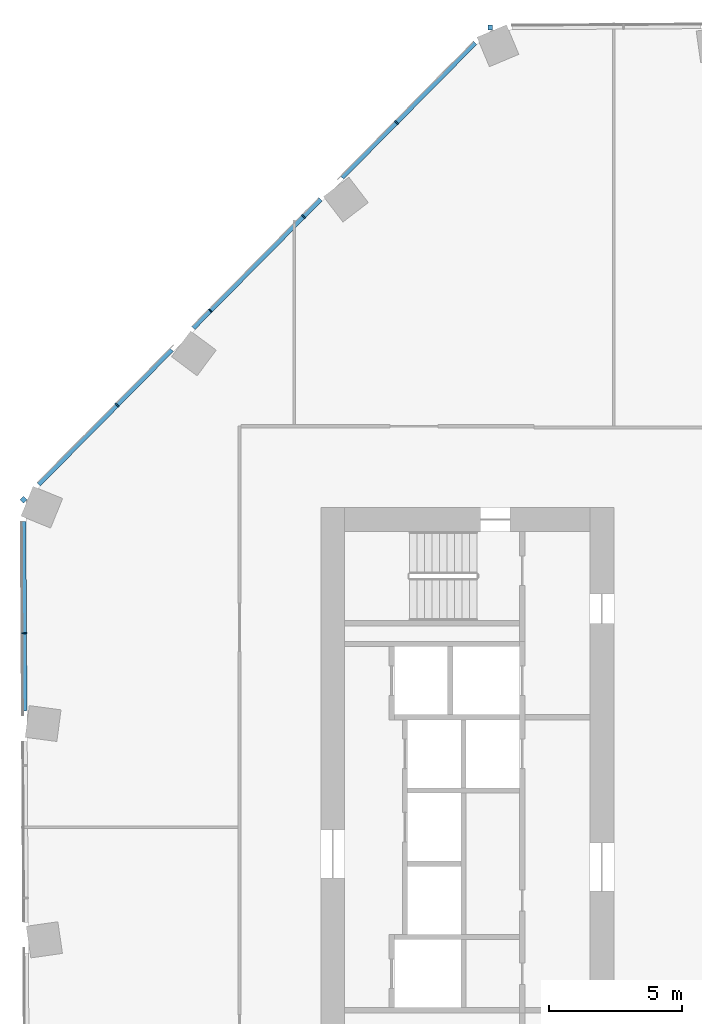
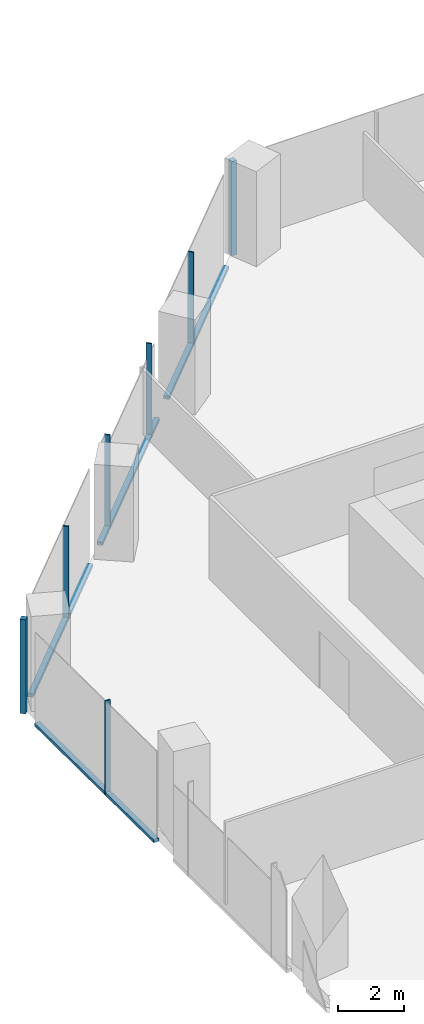
# One storey, part 9 of 27: 11 members, 3 elements without a shape of their own.
"""IFC4 building model written with IfcOpenShell, lengths in metres."""

from ifc_helpers import new_model, si_unit, direction, frame, origin, origin_2d, place, context, subcontext, project, spatial, rectangle, extrude, material, material_profile, profile_set, type_object, element, aggregate, save


model = new_model("IFC4")

# Units and contexts
model_context = context("Model", 3, precision=1e-05, world=origin(), true_north=direction((0.0, 1.0)))
body_context = subcontext(model_context, "Body", "Model", "MODEL_VIEW")
ifc_project = project(units=[si_unit("LENGTHUNIT", "METRE"), si_unit("AREAUNIT", "SQUARE_METRE"), si_unit("VOLUMEUNIT", "CUBIC_METRE"), si_unit("PLANEANGLEUNIT", "RADIAN"), si_unit("MASSUNIT", "GRAM", prefix="KILO")], contexts=[model_context])

# Site, building, storey
site_placement = place(None, origin())
site = spatial("IfcSite", under=ifc_project, at=site_placement, CompositionType="ELEMENT")
building_placement = place(site_placement, origin())
building = spatial("IfcBuilding", under=site, at=building_placement, Name="Orlundy Tower", CompositionType="ELEMENT")
storey_placement = place(building_placement, frame((0.0, 0.0, 202.60009765625)))
storey = spatial("IfcBuildingStorey", under=building, at=storey_placement, Name="L53", CompositionType="ELEMENT", Elevation=202.60009765625)

# Curtain wall, member
ifc_material_1 = material(Name="Aluminium bronze anodised", Category="aluminium")
curtain_wall_type = type_object("IfcCurtainWallType", Name="CW1 wall", PredefinedType="NOTDEFINED", material=ifc_material_1)
curtain_wall_1_placement = place(storey_placement, origin())
curtain_wall_1 = element("IfcCurtainWall", 1, at=curtain_wall_1_placement, inside=storey, type_object=curtain_wall_type, Name="CW1 run 03", PredefinedType="NOTDEFINED")
ifc_material_2 = material(Name="Aluminium bronze anodised", Category="aluminium")
ifc_material_profile_1 = material_profile(ifc_material_2, rectangle(XDim=0.179931640625, YDim=0.179931640625, at=origin_2d()), Name="CW1 corner post 180x180")
ifc_profile_set_1 = profile_set([ifc_material_profile_1], Name="Aluminium bronze anodised")
member_type_1 = type_object("IfcMemberType", Name="CW1 corner post 180x180", PredefinedType="MULLION", material=ifc_profile_set_1)
member_1_placement = place(storey_placement, frame((-30.162109375, 12.288818359375, -0.420166015625), z_axis=(0.0, 0.0, 1.0), x_axis=(-0.711199102506, 0.702990637629, 0.0)))
member_1 = element("IfcMember", 2, at=member_1_placement, type_object=member_type_1, Name="CW1 mullion 14", PredefinedType="MULLION", context=body_context, shape_type="SweptSolid", body=[
    extrude(rectangle(XDim=0.179931640625, YDim=0.179931640625, at=origin_2d()), origin(), (0.0, 0.0, 1.0), 3.469970703125),
])

curtain_wall_2_placement = place(storey_placement, origin())
curtain_wall_2 = element("IfcCurtainWall", 3, at=curtain_wall_2_placement, inside=storey, type_object=curtain_wall_type, Name="CW1 run 04", PredefinedType="NOTDEFINED")
member_2_placement = place(storey_placement, frame((-12.638916015625, 30.016845703125, -0.420166015625), z_axis=(0.0, 0.0, 1.0), x_axis=(-0.005834206419, 0.999982980873, 0.0)))
member_2 = element("IfcMember", 4, at=member_2_placement, type_object=member_type_1, Name="CW1 mullion 19", PredefinedType="MULLION", context=body_context, shape_type="SweptSolid", body=[
    extrude(rectangle(XDim=0.179931640625, YDim=0.179931640625, at=origin_2d()), origin(), (0.0, 0.0, 1.0), 3.469970703125),
])
aggregate(curtain_wall_2, [member_2])

curtain_wall_3_placement = place(storey_placement, origin())
curtain_wall_3 = element("IfcCurtainWall", 5, at=curtain_wall_3_placement, inside=storey, type_object=curtain_wall_type, Name="CW1 run 02", PredefinedType="NOTDEFINED")
ifc_material_3 = material(Name="Aluminium bronze anodised", Category="aluminium")
ifc_material_profile_2 = material_profile(ifc_material_3, rectangle(XDim=0.179931640625, YDim=0.050048828125, at=origin_2d()), Name="CW1 mullion 50x180")
ifc_profile_set_2 = profile_set([ifc_material_profile_2], Name="Aluminium bronze anodised")
member_type_2 = type_object("IfcMemberType", Name="CW1 mullion 50x180", PredefinedType="MULLION", material=ifc_profile_set_2)
member_3_placement = place(storey_placement, frame((-30.133056640625, 7.28076171875, -0.420166015625), z_axis=(0.0, 0.0, 1.0), x_axis=(-0.999982980873, -0.005834206419, 0.0)))
member_3 = element("IfcMember", 6, at=member_3_placement, type_object=member_type_2, Name="CW1 mullion 13", PredefinedType="MULLION", context=body_context, shape_type="SweptSolid", body=[
    extrude(rectangle(XDim=0.179931640625, YDim=0.050048828125, at=origin_2d()), origin(), (0.0, 0.0, 1.0), 3.469970703125),
])

# Member
member_4_placement = place(storey_placement, frame((-26.641845703125, 15.850341796875, -0.420166015625), z_axis=(0.0, 0.0, 1.0), x_axis=(-0.711199102506, 0.702990637629, 0.0)))
member_4 = element("IfcMember", 7, at=member_4_placement, type_object=member_type_2, Name="CW1 mullion 15", PredefinedType="MULLION", context=body_context, shape_type="SweptSolid", body=[
    extrude(rectangle(XDim=0.179931640625, YDim=0.050048828125, at=origin_2d()), origin(), (0.0, 0.0, 1.0), 3.469970703125),
])

member_5_placement = place(storey_placement, frame((-23.147705078125, 19.38525390625, -0.420166015625), z_axis=(0.0, 0.0, 1.0), x_axis=(-0.711199102506, 0.702990637629, 0.0)))
member_5 = element("IfcMember", 8, at=member_5_placement, type_object=member_type_2, Name="CW1 mullion 16", PredefinedType="MULLION", context=body_context, shape_type="SweptSolid", body=[
    extrude(rectangle(XDim=0.179931640625, YDim=0.050048828125, at=origin_2d()), origin(), (0.0, 0.0, 1.0), 3.469970703125),
])

member_6_placement = place(storey_placement, frame((-19.6533203125, 22.920166015625, -0.420166015625), z_axis=(0.0, 0.0, 1.0), x_axis=(-0.711199102506, 0.702990637629, 0.0)))
member_6 = element("IfcMember", 9, at=member_6_placement, type_object=member_type_2, Name="CW1 mullion 17", PredefinedType="MULLION", context=body_context, shape_type="SweptSolid", body=[
    extrude(rectangle(XDim=0.179931640625, YDim=0.050048828125, at=origin_2d()), origin(), (0.0, 0.0, 1.0), 3.469970703125),
])

member_7_placement = place(storey_placement, frame((-16.1591796875, 26.455322265625, -0.420166015625), z_axis=(0.0, 0.0, 1.0), x_axis=(-0.711199102506, 0.702990637629, 0.0)))
member_7 = element("IfcMember", 10, at=member_7_placement, type_object=member_type_2, Name="CW1 mullion 18", PredefinedType="MULLION", context=body_context, shape_type="SweptSolid", body=[
    extrude(rectangle(XDim=0.179931640625, YDim=0.050048828125, at=origin_2d()), origin(), (0.0, 0.0, 1.0), 3.469970703125),
])

ifc_material_4 = material(Name="Aluminium bronze anodised", Category="aluminium")
ifc_material_profile_3 = material_profile(ifc_material_4, rectangle(XDim=0.179931640625, YDim=0.1201171875, at=origin_2d()), Name="CW1 transom 180x120")
ifc_profile_set_3 = profile_set([ifc_material_profile_3], Name="Aluminium bronze anodised")
member_type_3 = type_object("IfcMemberType", Name="CW1 transom 180x120", PredefinedType="USERDEFINED", material=ifc_profile_set_3)
member_8_placement = place(storey_placement, frame((-30.115966796875, 4.36865234375, -0.360107421875), z_axis=(-0.005838414073, 0.999982956315, 0.0), x_axis=(-0.999982956315, -0.005838414073, 0.0)))
member_8 = element("IfcMember", 11, at=member_8_placement, type_object=member_type_3, Name="CW1 transom", ObjectType="TRANSOM", PredefinedType="USERDEFINED", context=body_context, shape_type="SweptSolid", body=[
    extrude(rectangle(XDim=0.179931640625, YDim=0.1201171875, at=origin_2d()), origin(), (0.0, 0.0, 1.0), 7.108642578125),
])

aggregate(curtain_wall_3, [member_3, member_8])

member_9_placement = place(storey_placement, frame((-29.59130859375, 12.8662109375, -0.360107421875), z_axis=(0.702972766617, 0.711216766812, 0.0), x_axis=(-0.711216766812, 0.702972766617, 0.0)))
member_9 = element("IfcMember", 12, at=member_9_placement, type_object=member_type_3, Name="CW1 transom", ObjectType="TRANSOM", PredefinedType="USERDEFINED", context=body_context, shape_type="SweptSolid", body=[
    extrude(rectangle(XDim=0.179931640625, YDim=0.1201171875, at=origin_2d()), origin(), (0.0, 0.0, 1.0), 7.107421875),
])

member_10_placement = place(storey_placement, frame((-23.78857421875, 18.73681640625, -0.360107421875), z_axis=(0.70298076766, 0.711208858424, 0.0), x_axis=(-0.711208858424, 0.70298076766, 0.0)))
member_10 = element("IfcMember", 13, at=member_10_placement, type_object=member_type_3, Name="CW1 transom", ObjectType="TRANSOM", PredefinedType="USERDEFINED", context=body_context, shape_type="SweptSolid", body=[
    extrude(rectangle(XDim=0.179931640625, YDim=0.1201171875, at=origin_2d()), origin(), (0.0, 0.0, 1.0), 6.794677734375),
])

member_11_placement = place(storey_placement, frame((-18.2041015625, 24.386474609375, -0.360107421875), z_axis=(0.702988736898, 0.711200981295, 0.0), x_axis=(-0.711200981295, 0.702988736898, 0.0)))
member_11 = element("IfcMember", 14, at=member_11_placement, type_object=member_type_3, Name="CW1 transom", ObjectType="TRANSOM", PredefinedType="USERDEFINED", context=body_context, shape_type="SweptSolid", body=[
    extrude(rectangle(XDim=0.179931640625, YDim=0.1201171875, at=origin_2d()), origin(), (0.0, 0.0, 1.0), 7.105224609375),
])

aggregate(curtain_wall_1, [member_1, member_4, member_5, member_6, member_7, member_9, member_10, member_11])

save(model, "model.ifc")
